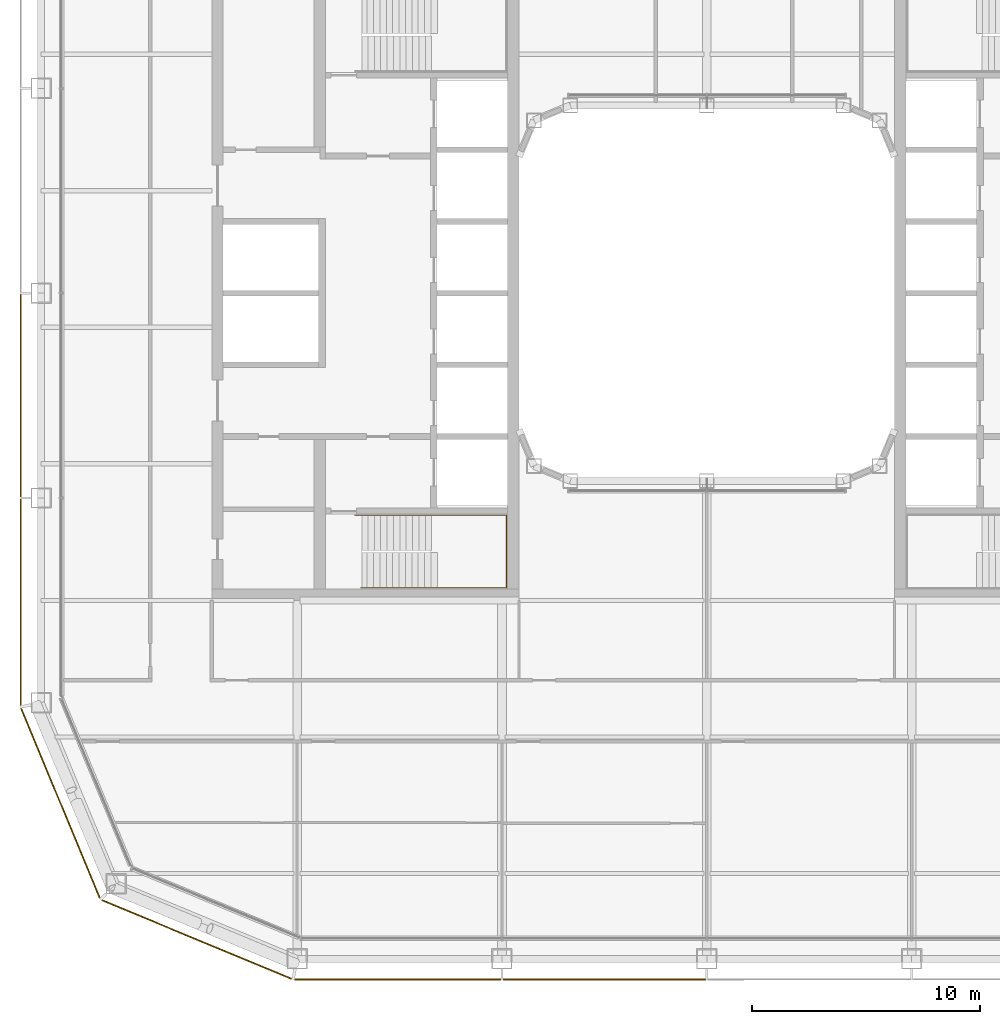
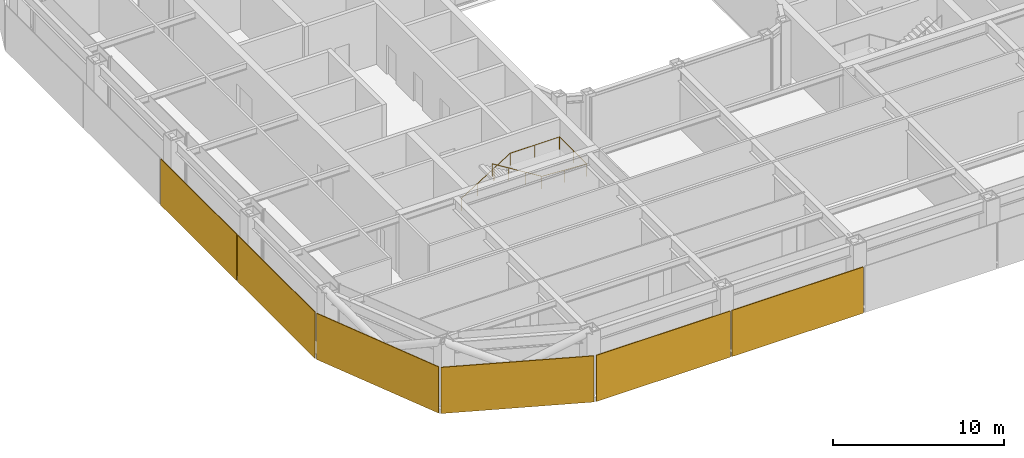
# One storey, part 19 of 24: 6 coverings, 1 railing.
"""IFC4 building model written with IfcOpenShell, lengths in metres."""

from ifc_helpers import new_model, si_unit, direction, frame, origin, origin_2d, place, context, subcontext, project, spatial, rectangle, circle, extrude, material, layer, layer_set, type_object, element, save


model = new_model("IFC4")

# Units and contexts
model_context = context("Model", 3, precision=1e-05, world=origin(), true_north=direction((0.0, 1.0)))
body_context = subcontext(model_context, "Body", "Model", "MODEL_VIEW")
ifc_project = project(units=[si_unit("LENGTHUNIT", "METRE"), si_unit("AREAUNIT", "SQUARE_METRE"), si_unit("VOLUMEUNIT", "CUBIC_METRE"), si_unit("PLANEANGLEUNIT", "RADIAN"), si_unit("MASSUNIT", "GRAM", prefix="KILO")], contexts=[model_context])

# Site, building, storey
site_placement = place(None, origin())
site = spatial("IfcSite", under=ifc_project, at=site_placement, CompositionType="ELEMENT")
building_placement = place(site_placement, origin())
building = spatial("IfcBuilding", under=site, at=building_placement, Name="Siwar Civic Tower", CompositionType="ELEMENT")
storey_placement = place(building_placement, frame((0.0, 0.0, 149.699951171875)))
storey = spatial("IfcBuildingStorey", under=building, at=storey_placement, Name="L32", CompositionType="ELEMENT", Elevation=149.699951171875)

# Railing
ifc_material_1 = material(Name="Stainless steel", Category="steel")
railing_type = type_object("IfcRailingType", Name="CORE-STAIR-HANDRAIL", PredefinedType="HANDRAIL", material=ifc_material_1)
railing_placement = place(storey_placement, frame((-15.449951171875, -9.758056640625, 0.173095703125)))
element("IfcRailing", 1, at=railing_placement, inside=storey, type_object=railing_type, Name="Stair handrail ST2", PredefinedType="HANDRAIL", context=body_context, shape_type="SweptSolid", body=[
    extrude(circle(Radius=0.02001953125, at=origin_2d()), frame((0.0, 0.0, 0.8798828125), z_axis=(0.847063342986, 0.0, 0.531491950051), x_axis=(0.0, 1.0, 0.0)), (0.0, 0.0, 1.0), 3.90771484375),
    extrude(circle(Radius=0.02001953125, at=origin_2d()), frame((3.31005859375, 0.0, 2.956787109375), z_axis=(1.0, 0.0, 0.0), x_axis=(0.0, 1.0, 0.0)), (0.0, 0.0, 1.0), 3.331787109375),
    extrude(circle(Radius=0.02001953125, at=origin_2d()), frame((6.641845703125, 0.0, 2.956787109375), z_axis=(0.0, -1.0, 0.0), x_axis=(1.0, 0.0, 0.0)), (0.0, 0.0, 1.0), 3.183837890625),
    extrude(circle(Radius=0.02001953125, at=origin_2d()), frame((6.641845703125, -3.183837890625, 2.956787109375), z_axis=(-0.99837434197, 0.0, 0.056997134106), x_axis=(0.0, -1.0, 0.0)), (0.0, 0.0, 1.0), 3.036865234375),
    extrude(circle(Radius=0.02001953125, at=origin_2d()), frame((3.60986328125, -3.183837890625, 3.1298828125), z_axis=(-0.850606129759, 0.0, 0.525803396734), x_axis=(0.0, -1.0, 0.0)), (0.0, 0.0, 1.0), 3.949951171875),
    extrude(circle(Radius=0.02001953125, at=origin_2d()), origin(), (0.0, 0.0, 1.0), 0.85986328125),
    extrude(circle(Radius=0.02001953125, at=origin_2d()), frame((1.103271484375, 0.0, 0.6923828125)), (0.0, 0.0, 1.0), 0.85986328125),
    extrude(circle(Radius=0.02001953125, at=origin_2d()), frame((2.206787109375, 0.0, 1.384521484375)), (0.0, 0.0, 1.0), 0.85986328125),
    extrude(circle(Radius=0.02001953125, at=origin_2d()), frame((3.31005859375, 0.0, 2.076904296875)), (0.0, 0.0, 1.0), 0.85986328125),
    extrude(circle(Radius=0.02001953125, at=origin_2d()), frame((4.97607421875, 0.0, 2.076904296875)), (0.0, 0.0, 1.0), 0.85986328125),
    extrude(circle(Radius=0.02001953125, at=origin_2d()), frame((6.641845703125, 0.0, 2.076904296875)), (0.0, 0.0, 1.0), 0.85986328125),
    extrude(circle(Radius=0.02001953125, at=origin_2d()), frame((6.641845703125, -1.591796875, 2.076904296875)), (0.0, 0.0, 1.0), 0.85986328125),
    extrude(circle(Radius=0.02001953125, at=origin_2d()), frame((6.641845703125, -3.183837890625, 2.076904296875)), (0.0, 0.0, 1.0), 0.85986328125),
    extrude(circle(Radius=0.02001953125, at=origin_2d()), frame((5.1259765625, -3.183837890625, 2.16357421875)), (0.0, 0.0, 1.0), 0.85986328125),
    extrude(circle(Radius=0.02001953125, at=origin_2d()), frame((3.60986328125, -3.183837890625, 2.25)), (0.0, 0.0, 1.0), 0.85986328125),
    extrude(circle(Radius=0.02001953125, at=origin_2d()), frame((2.489990234375, -3.183837890625, 2.9423828125)), (0.0, 0.0, 1.0), 0.85986328125),
    extrude(circle(Radius=0.02001953125, at=origin_2d()), frame((1.369873046875, -3.183837890625, 3.634521484375)), (0.0, 0.0, 1.0), 0.85986328125),
    extrude(circle(Radius=0.02001953125, at=origin_2d()), frame((0.25, -3.183837890625, 4.326904296875)), (0.0, 0.0, 1.0), 0.85986328125),
])

# Coverings
ifc_material_2 = material(Name="Perforated aluminium cassette, pale metal", Category="aluminium")
ifc_layer_1 = layer(ifc_material_2, 0.050048828125)
ifc_layer_set_1 = layer_set([ifc_layer_1], Name="Perforated aluminium cassette, pale metal")
covering_type_1 = type_object("IfcCoveringType", Name="ENV-OUTER SKIN OS-3", PredefinedType="CLADDING", material=ifc_layer_set_1)
covering_1_placement = place(storey_placement, frame((-30.14990234375, -4.5, -0.14990234375), z_axis=(0.0, 0.0, 1.0), x_axis=(0.0, -1.0, 0.0)))
element("IfcCovering", 2, at=covering_1_placement, inside=storey, type_object=covering_type_1, Name="OUTER SKIN OS-3 W 3", PredefinedType="CLADDING", context=body_context, shape_type="SweptSolid", body=[
    extrude(rectangle(XDim=8.89990234375, YDim=0.050048828125, at=origin_2d()), origin(), (0.0, 0.0, 1.0), 3.300048828125),
])
covering_2_placement = place(storey_placement, frame((-30.14990234375, -13.57958984375, -0.14990234375), z_axis=(0.0, 0.0, 1.0), x_axis=(0.0, -1.0, 0.0)))
element("IfcCovering", 3, at=covering_2_placement, inside=storey, type_object=covering_type_1, Name="OUTER SKIN OS-3 W 4", PredefinedType="CLADDING", context=body_context, shape_type="SweptSolid", body=[
    extrude(rectangle(XDim=9.05908203125, YDim=0.050048828125, at=origin_2d()), origin(), (0.0, 0.0, 1.0), 3.300048828125),
])
ifc_material_3 = material(Name="Perforated aluminium cassette, pale metal", Category="aluminium")
ifc_layer_2 = layer(ifc_material_3, 0.054931640625)
ifc_layer_set_2 = layer_set([ifc_layer_2], Name="Perforated aluminium cassette, pale metal")
covering_type_2 = type_object("IfcCoveringType", Name="ENV-OUTER SKIN OS-4", PredefinedType="CLADDING", material=ifc_layer_set_2)
covering_3_placement = place(storey_placement, frame((-13.57958984375, -30.14990234375, -0.14990234375), z_axis=(0.0, 0.0, 1.0), x_axis=(1.0, 0.0, 0.0)))
element("IfcCovering", 4, at=covering_3_placement, inside=storey, type_object=covering_type_2, Name="OUTER SKIN OS-4 S 1", PredefinedType="CLADDING", context=body_context, shape_type="SweptSolid", body=[
    extrude(rectangle(XDim=9.05908203125, YDim=0.054931640625, at=origin_2d()), origin(), (0.0, 0.0, 1.0), 3.300048828125),
])
covering_4_placement = place(storey_placement, frame((-4.5, -30.14990234375, -0.14990234375), z_axis=(0.0, 0.0, 1.0), x_axis=(1.0, 0.0, 0.0)))
element("IfcCovering", 5, at=covering_4_placement, inside=storey, type_object=covering_type_2, Name="OUTER SKIN OS-4 S 2", PredefinedType="CLADDING", context=body_context, shape_type="SweptSolid", body=[
    extrude(rectangle(XDim=8.89990234375, YDim=0.054931640625, at=origin_2d()), origin(), (0.0, 0.0, 1.0), 3.300048828125),
])
for number, where, z_axis, x_axis, name in (
    (6, (-28.39697265625, -22.411376953125, -0.14990234375), (0.0, 0.0, 1.0), (0.382683432365, -0.923879532511, 0.0), "OUTER SKIN OS-4 SW1 1"),
    (7, (-22.411376953125, -28.39697265625, -0.14990234375), (0.0, 0.0, 1.0), (0.923879532511, -0.382683432365, 0.0), "OUTER SKIN OS-4 SW2 1"),
):
    element("IfcCovering", number, at=place(storey_placement, frame(where, z_axis=z_axis, x_axis=x_axis)), inside=storey, type_object=covering_type_2, Name=name, PredefinedType="CLADDING", context=body_context, shape_type="SweptSolid", body=[
        extrude(rectangle(XDim=9.022216796875, YDim=0.054931640625, at=origin_2d()), origin(), (0.0, 0.0, 1.0), 3.300048828125),
    ])

save(model, "model.ifc")
